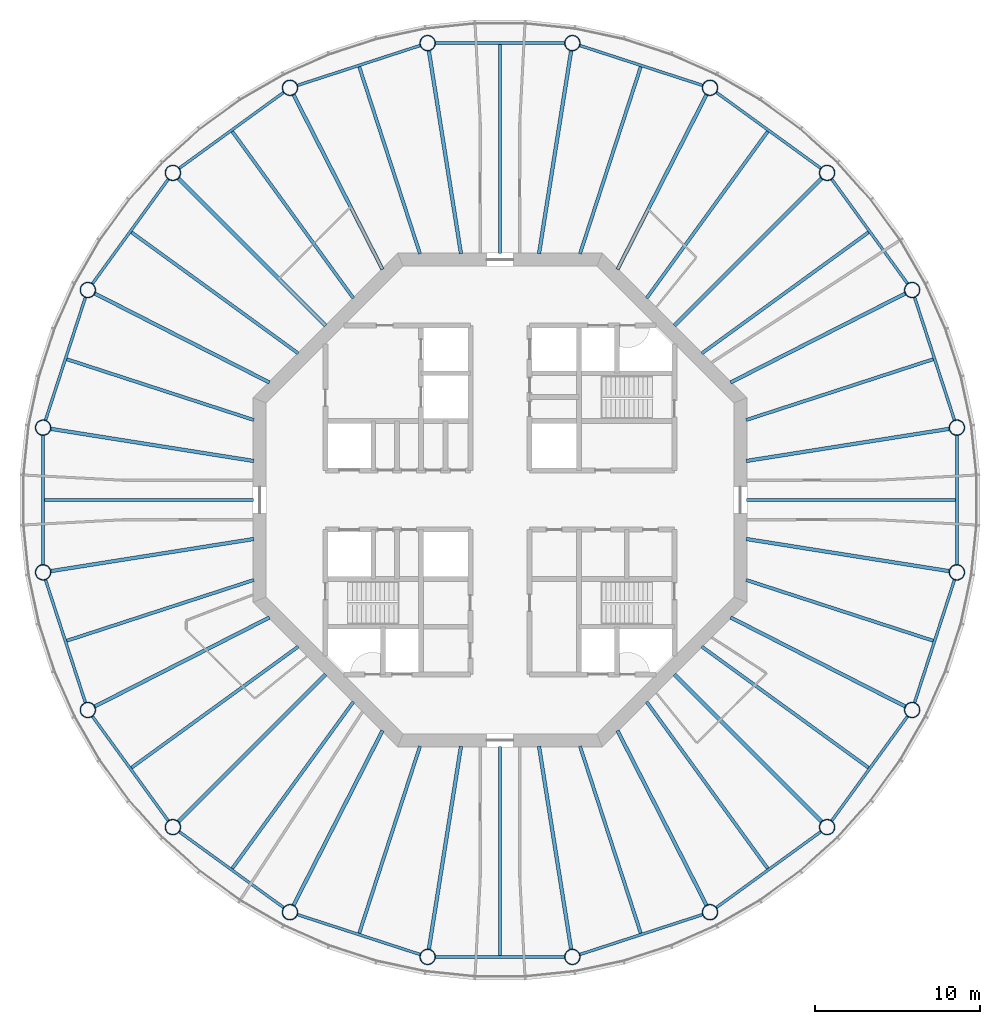
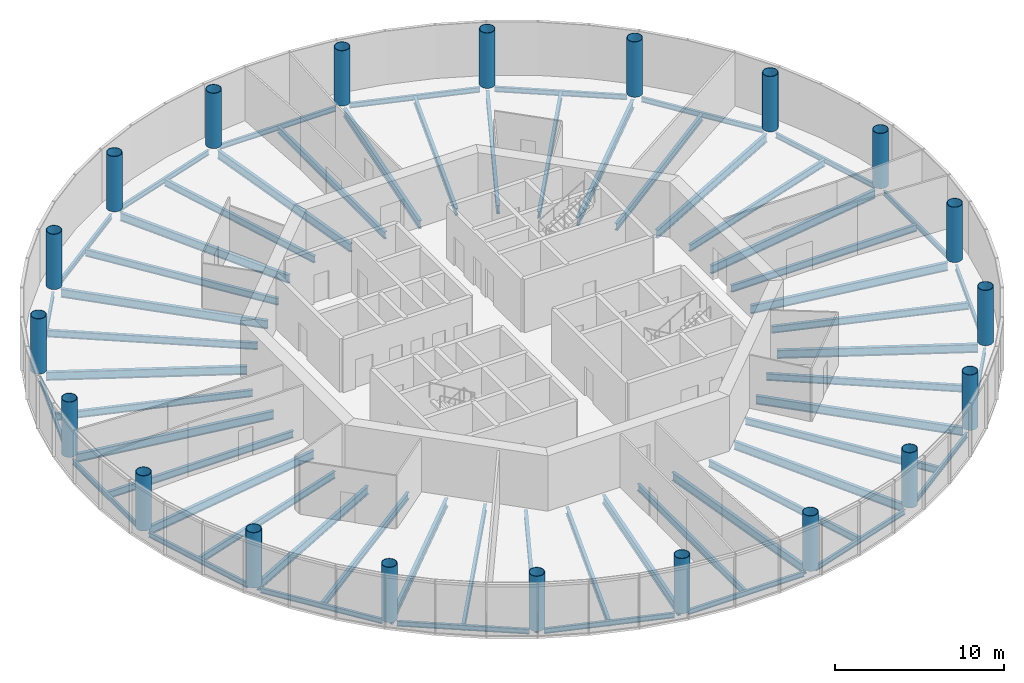
# One storey, part 1 of 13: 60 beams, 20 columns.
"""IFC4 building model written with IfcOpenShell, lengths in metres."""

from ifc_helpers import new_model, si_unit, direction, frame, origin, origin_2d, place, context, subcontext, project, spatial, circle, hollow_circle, i_section, extrude, material, material_profile, profile_set, type_object, element, save


model = new_model("IFC4")

# Units and contexts
model_context = context("Model", 3, precision=1e-05, world=origin(), true_north=direction((0.0, 1.0)))
body_context = subcontext(model_context, "Body", "Model", "MODEL_VIEW")
ifc_project = project(units=[si_unit("LENGTHUNIT", "METRE"), si_unit("AREAUNIT", "SQUARE_METRE"), si_unit("VOLUMEUNIT", "CUBIC_METRE"), si_unit("PLANEANGLEUNIT", "RADIAN"), si_unit("MASSUNIT", "GRAM", prefix="KILO")], contexts=[model_context])

# Site, building, storey
site_placement = place(None, origin())
site = spatial("IfcSite", under=ifc_project, at=site_placement, CompositionType="ELEMENT")
building_placement = place(site_placement, origin())
building = spatial("IfcBuilding", under=site, at=building_placement, Name="Entoto Ring Tower", CompositionType="ELEMENT")
storey_placement = place(building_placement, frame((0.0, 0.0, 302.0)))
storey = spatial("IfcBuildingStorey", under=building, at=storey_placement, Name="L69", CompositionType="ELEMENT", Elevation=302.0)

# Columns
ifc_material_1 = material(Name="Steel S355", Category="steel")
ifc_material_profile_1 = material_profile(ifc_material_1, hollow_circle(Radius=0.47509765625, WallThickness=0.034912109375, at=origin_2d()), Name="CHS 950 x 35")
ifc_material_2 = material(Name="Concrete C60/75", Category="concrete")
ifc_material_profile_2 = material_profile(ifc_material_2, circle(Radius=0.43994140625, at=origin_2d()), Name="Concrete C60/75 infill")
ifc_profile_set_1 = profile_set([ifc_material_profile_1, ifc_material_profile_2], Name="Steel S355")
column_type = type_object("IfcColumnType", Name="Ring column 950 x 35 concrete-filled tube", PredefinedType="COLUMN", material=ifc_profile_set_1)
for number, where, z_axis, x_axis, name in (
    (1, (117.754150390625, 84.395751953125, 0.0), (0.0, 0.0, 1.0), (1.0, 0.0, 0.0), "RC5 R01"),
    (2, (115.037353515625, 92.757080078125, 0.0), (0.0, 0.0, 1.0), (1.0, 0.0, 0.0), "RC5 R02"),
    (3, (109.86962890625, 99.86962890625, 0.0), (0.0, 0.0, 1.0), (1.0, 0.0, 0.0), "RC5 R03"),
    (4, (102.757080078125, 105.037353515625, 0.0), (0.0, 0.0, 1.0), (1.0, 0.0, 0.0), "RC5 R04"),
    (5, (94.395751953125, 107.754150390625, 0.0), (0.0, 0.0, 1.0), (1.0, 0.0, 0.0), "RC5 R05"),
    (6, (85.604248046875, 107.754150390625, 0.0), (0.0, 0.0, 1.0), (1.0, 0.0, 0.0), "RC5 R06"),
    (7, (77.242919921875, 105.037353515625, 0.0), (0.0, 0.0, 1.0), (1.0, 0.0, 0.0), "RC5 R07"),
    (8, (70.13037109375, 99.86962890625, 0.0), (0.0, 0.0, 1.0), (1.0, 0.0, 0.0), "RC5 R08"),
    (9, (64.962646484375, 92.757080078125, 0.0), (0.0, 0.0, 1.0), (1.0, 0.0, 0.0), "RC5 R09"),
    (10, (62.245849609375, 84.395751953125, 0.0), (0.0, 0.0, 1.0), (1.0, 0.0, 0.0), "RC5 R10"),
    (11, (62.245849609375, 75.604248046875, 0.0), (0.0, 0.0, 1.0), (1.0, 0.0, 0.0), "RC5 R11"),
    (12, (64.962646484375, 67.242919921875, 0.0), (0.0, 0.0, 1.0), (1.0, 0.0, 0.0), "RC5 R12"),
    (13, (70.13037109375, 60.13037109375, 0.0), (0.0, 0.0, 1.0), (1.0, 0.0, 0.0), "RC5 R13"),
    (14, (77.242919921875, 54.962646484375, 0.0), (0.0, 0.0, 1.0), (1.0, 0.0, 0.0), "RC5 R14"),
    (15, (85.604248046875, 52.245849609375, 0.0), (0.0, 0.0, 1.0), (1.0, 0.0, 0.0), "RC5 R15"),
    (16, (94.395751953125, 52.245849609375, 0.0), (0.0, 0.0, 1.0), (1.0, 0.0, 0.0), "RC5 R16"),
    (17, (102.757080078125, 54.962646484375, 0.0), (0.0, 0.0, 1.0), (1.0, 0.0, 0.0), "RC5 R17"),
    (18, (109.86962890625, 60.13037109375, 0.0), (0.0, 0.0, 1.0), (1.0, 0.0, 0.0), "RC5 R18"),
    (19, (115.037353515625, 67.242919921875, 0.0), (0.0, 0.0, 1.0), (1.0, 0.0, 0.0), "RC5 R19"),
    (20, (117.754150390625, 75.604248046875, 0.0), (0.0, 0.0, 1.0), (1.0, 0.0, 0.0), "RC5 R20"),
):
    element("IfcColumn", number, at=place(storey_placement, frame(where, z_axis=z_axis, x_axis=x_axis)), inside=storey, type_object=column_type, Name=name, PredefinedType="COLUMN", context=body_context, shape_type="SweptSolid", body=[
        extrude(hollow_circle(Radius=0.47509765625, WallThickness=0.034912109375, at=origin_2d()), origin(), (0.0, 0.0, 1.0), 4.0),
    ])

# Beams
ifc_material_3 = material(Name="Steel S355", Category="steel")
ifc_material_profile_3 = material_profile(ifc_material_3, i_section(OverallWidth=0.169921875, OverallDepth=0.360107421875, WebThickness=0.008056640625, FlangeThickness=0.0126953125, FilletRadius=0.01806640625, at=origin_2d()), Name="IPE 360")
ifc_profile_set_2 = profile_set([ifc_material_profile_3], Name="Steel S355")
beam_type_1 = type_object("IfcBeamType", Name="Edge beam IPE 360", PredefinedType="SPANDREL", material=ifc_profile_set_2)
beam_1_placement = place(storey_placement, frame((117.61572265625, 84.8212890625, -0.330078125), z_axis=(-0.309002883506, 0.951061101079, 0.0), x_axis=(-0.951061101079, -0.309002883506, 0.0)))
element("IfcBeam", 21, at=beam_1_placement, inside=storey, type_object=beam_type_1, Name="Edge beam L69 01", PredefinedType="SPANDREL", context=body_context, shape_type="SweptSolid", body=[
    extrude(i_section(OverallWidth=0.169921875, OverallDepth=0.360107421875, WebThickness=0.008056640625, FlangeThickness=0.0126953125, FilletRadius=0.01806640625, at=origin_2d()), origin(), (0.0, 0.0, 1.0), 7.89697265625),
])
for number, where, z_axis, x_axis, name in (
    (22, (114.7744140625, 93.118896484375, -0.330078125), (-0.587787449408, 0.809015398073, 0.0), (-0.809015398073, -0.587787449408, 0.0), "Edge beam L69 02"),
    (23, (109.5078125, 100.132568359375, -0.330078125), (-0.809015398073, 0.587787449408, 0.0), (-0.587787449408, -0.809015398073, 0.0), "Edge beam L69 03"),
):
    element("IfcBeam", number, at=place(storey_placement, frame(where, z_axis=z_axis, x_axis=x_axis)), inside=storey, type_object=beam_type_1, Name=name, PredefinedType="SPANDREL", context=body_context, shape_type="SweptSolid", body=[
        extrude(i_section(OverallWidth=0.169921875, OverallDepth=0.360107421875, WebThickness=0.008056640625, FlangeThickness=0.0126953125, FilletRadius=0.01806640625, at=origin_2d()), origin(), (0.0, 0.0, 1.0), 7.897216796875),
    ])
for number, where, z_axis, x_axis, name in (
    (24, (102.331787109375, 105.175537109375, -0.330078125), (-0.951061101079, 0.309002883506, 0.0), (-0.309002883506, -0.951061101079, 0.0), "Edge beam L69 04"),
    (25, (93.948486328125, 107.754150390625, -0.330078125), (-1.0, 0.0, 0.0), (0.0, -1.0, 0.0), "Edge beam L69 05"),
    (26, (85.1787109375, 107.61572265625, -0.330078125), (-0.951061101079, -0.309002883506, 0.0), (0.309002883506, -0.951061101079, 0.0), "Edge beam L69 06"),
):
    element("IfcBeam", number, at=place(storey_placement, frame(where, z_axis=z_axis, x_axis=x_axis)), inside=storey, type_object=beam_type_1, Name=name, PredefinedType="SPANDREL", context=body_context, shape_type="SweptSolid", body=[
        extrude(i_section(OverallWidth=0.169921875, OverallDepth=0.360107421875, WebThickness=0.008056640625, FlangeThickness=0.0126953125, FilletRadius=0.01806640625, at=origin_2d()), origin(), (0.0, 0.0, 1.0), 7.89697265625),
    ])
for number, where, z_axis, x_axis, name in (
    (27, (76.881103515625, 104.7744140625, -0.330078125), (-0.809015398073, -0.587787449408, 0.0), (0.587787449408, -0.809015398073, 0.0), "Edge beam L69 07"),
    (28, (69.867431640625, 99.5078125, -0.330078125), (-0.587787449408, -0.809015398073, 0.0), (0.809015398073, -0.587787449408, 0.0), "Edge beam L69 08"),
):
    element("IfcBeam", number, at=place(storey_placement, frame(where, z_axis=z_axis, x_axis=x_axis)), inside=storey, type_object=beam_type_1, Name=name, PredefinedType="SPANDREL", context=body_context, shape_type="SweptSolid", body=[
        extrude(i_section(OverallWidth=0.169921875, OverallDepth=0.360107421875, WebThickness=0.008056640625, FlangeThickness=0.0126953125, FilletRadius=0.01806640625, at=origin_2d()), origin(), (0.0, 0.0, 1.0), 7.897216796875),
    ])
for number, where, z_axis, x_axis, name in (
    (29, (64.824462890625, 92.331787109375, -0.330078125), (-0.309002883506, -0.951061101079, 0.0), (0.951061101079, -0.309002883506, 0.0), "Edge beam L69 09"),
    (30, (62.245849609375, 83.948486328125, -0.330078125), (0.0, -1.0, 0.0), (1.0, 0.0, 0.0), "Edge beam L69 10"),
    (31, (62.38427734375, 75.1787109375, -0.330078125), (0.309002883506, -0.951061101079, 0.0), (0.951061101079, 0.309002883506, 0.0), "Edge beam L69 11"),
):
    element("IfcBeam", number, at=place(storey_placement, frame(where, z_axis=z_axis, x_axis=x_axis)), inside=storey, type_object=beam_type_1, Name=name, PredefinedType="SPANDREL", context=body_context, shape_type="SweptSolid", body=[
        extrude(i_section(OverallWidth=0.169921875, OverallDepth=0.360107421875, WebThickness=0.008056640625, FlangeThickness=0.0126953125, FilletRadius=0.01806640625, at=origin_2d()), origin(), (0.0, 0.0, 1.0), 7.89697265625),
    ])
for number, where, z_axis, x_axis, name in (
    (32, (65.2255859375, 66.881103515625, -0.330078125), (0.587787449408, -0.809015398073, 0.0), (0.809015398073, 0.587787449408, 0.0), "Edge beam L69 12"),
    (33, (70.4921875, 59.867431640625, -0.330078125), (0.809015398073, -0.587787449408, 0.0), (0.587787449408, 0.809015398073, 0.0), "Edge beam L69 13"),
):
    element("IfcBeam", number, at=place(storey_placement, frame(where, z_axis=z_axis, x_axis=x_axis)), inside=storey, type_object=beam_type_1, Name=name, PredefinedType="SPANDREL", context=body_context, shape_type="SweptSolid", body=[
        extrude(i_section(OverallWidth=0.169921875, OverallDepth=0.360107421875, WebThickness=0.008056640625, FlangeThickness=0.0126953125, FilletRadius=0.01806640625, at=origin_2d()), origin(), (0.0, 0.0, 1.0), 7.897216796875),
    ])
for number, where, z_axis, x_axis, name in (
    (34, (77.668212890625, 54.824462890625, -0.330078125), (0.951061101079, -0.309002883506, 0.0), (0.309002883506, 0.951061101079, 0.0), "Edge beam L69 14"),
    (35, (86.051513671875, 52.245849609375, -0.330078125), (1.0, 0.0, 0.0), (0.0, 1.0, 0.0), "Edge beam L69 15"),
    (36, (94.8212890625, 52.38427734375, -0.330078125), (0.951061101079, 0.309002883506, 0.0), (-0.309002883506, 0.951061101079, 0.0), "Edge beam L69 16"),
):
    element("IfcBeam", number, at=place(storey_placement, frame(where, z_axis=z_axis, x_axis=x_axis)), inside=storey, type_object=beam_type_1, Name=name, PredefinedType="SPANDREL", context=body_context, shape_type="SweptSolid", body=[
        extrude(i_section(OverallWidth=0.169921875, OverallDepth=0.360107421875, WebThickness=0.008056640625, FlangeThickness=0.0126953125, FilletRadius=0.01806640625, at=origin_2d()), origin(), (0.0, 0.0, 1.0), 7.89697265625),
    ])
for number, where, z_axis, x_axis, name in (
    (37, (103.118896484375, 55.2255859375, -0.330078125), (0.809015398073, 0.587787449408, 0.0), (-0.587787449408, 0.809015398073, 0.0), "Edge beam L69 17"),
    (38, (110.132568359375, 60.4921875, -0.330078125), (0.587787449408, 0.809015398073, 0.0), (-0.809015398073, 0.587787449408, 0.0), "Edge beam L69 18"),
):
    element("IfcBeam", number, at=place(storey_placement, frame(where, z_axis=z_axis, x_axis=x_axis)), inside=storey, type_object=beam_type_1, Name=name, PredefinedType="SPANDREL", context=body_context, shape_type="SweptSolid", body=[
        extrude(i_section(OverallWidth=0.169921875, OverallDepth=0.360107421875, WebThickness=0.008056640625, FlangeThickness=0.0126953125, FilletRadius=0.01806640625, at=origin_2d()), origin(), (0.0, 0.0, 1.0), 7.897216796875),
    ])
for number, where, z_axis, x_axis, name in (
    (39, (115.175537109375, 67.668212890625, -0.330078125), (0.309002883506, 0.951061101079, 0.0), (-0.951061101079, 0.309002883506, 0.0), "Edge beam L69 19"),
    (40, (117.754150390625, 76.051513671875, -0.330078125), (0.0, 1.0, 0.0), (-1.0, 0.0, 0.0), "Edge beam L69 20"),
):
    element("IfcBeam", number, at=place(storey_placement, frame(where, z_axis=z_axis, x_axis=x_axis)), inside=storey, type_object=beam_type_1, Name=name, PredefinedType="SPANDREL", context=body_context, shape_type="SweptSolid", body=[
        extrude(i_section(OverallWidth=0.169921875, OverallDepth=0.360107421875, WebThickness=0.008056640625, FlangeThickness=0.0126953125, FilletRadius=0.01806640625, at=origin_2d()), origin(), (0.0, 0.0, 1.0), 7.89697265625),
    ])
ifc_material_4 = material(Name="Steel S355", Category="steel")
ifc_material_profile_4 = material_profile(ifc_material_4, i_section(OverallWidth=0.219970703125, OverallDepth=0.60009765625, WebThickness=0.011962890625, FlangeThickness=0.01904296875, FilletRadius=0.02392578125, at=origin_2d()), Name="IPE 600")
ifc_profile_set_3 = profile_set([ifc_material_profile_4], Name="Steel S355")
beam_type_2 = type_object("IfcBeamType", Name="Primary floor beam IPE 600", PredefinedType="BEAM", material=ifc_profile_set_3)
beam_2_placement = place(storey_placement, frame((104.963134765625, 82.369873046875, -0.449951171875), z_axis=(0.987687519796, 0.156439647277, 0.0), x_axis=(-0.156439647277, 0.987687519796, 0.0)))
element("IfcBeam", 41, at=beam_2_placement, inside=storey, type_object=beam_type_2, Name="Primary L69 R01", PredefinedType="BEAM", context=body_context, shape_type="SweptSolid", body=[
    extrude(i_section(OverallWidth=0.219970703125, OverallDepth=0.60009765625, WebThickness=0.011962890625, FlangeThickness=0.01904296875, FilletRadius=0.02392578125, at=origin_2d()), origin(), (0.0, 0.0, 1.0), 12.50830078125),
])
beam_3_placement = place(storey_placement, frame((104.003173828125, 87.135009765625, -0.449951171875), z_axis=(0.891007666593, 0.453988257638, 0.0), x_axis=(-0.453988257638, 0.891007666593, 0.0)))
element("IfcBeam", 42, at=beam_3_placement, inside=storey, type_object=beam_type_2, Name="Primary L69 R02", PredefinedType="BEAM", context=body_context, shape_type="SweptSolid", body=[
    extrude(i_section(OverallWidth=0.219970703125, OverallDepth=0.60009765625, WebThickness=0.011962890625, FlangeThickness=0.01904296875, FilletRadius=0.02392578125, at=origin_2d()), origin(), (0.0, 0.0, 1.0), 11.941650390625),
])
beam_4_placement = place(storey_placement, frame((100.592529296875, 90.592529296875, -0.449951171875), z_axis=(0.707106781187, 0.707106781187, 0.0), x_axis=(-0.707106781187, 0.707106781187, 0.0)))
element("IfcBeam", 43, at=beam_4_placement, inside=storey, type_object=beam_type_2, Name="Primary L69 R03", PredefinedType="BEAM", context=body_context, shape_type="SweptSolid", body=[
    extrude(i_section(OverallWidth=0.219970703125, OverallDepth=0.60009765625, WebThickness=0.011962890625, FlangeThickness=0.01904296875, FilletRadius=0.02392578125, at=origin_2d()), origin(), (0.0, 0.0, 1.0), 12.677978515625),
])
beam_5_placement = place(storey_placement, frame((97.135009765625, 94.003173828125, -0.449951171875), z_axis=(0.453988257638, 0.891007666593, 0.0), x_axis=(-0.891007666593, 0.453988257638, 0.0)))
element("IfcBeam", 44, at=beam_5_placement, inside=storey, type_object=beam_type_2, Name="Primary L69 R04", PredefinedType="BEAM", context=body_context, shape_type="SweptSolid", body=[
    extrude(i_section(OverallWidth=0.219970703125, OverallDepth=0.60009765625, WebThickness=0.011962890625, FlangeThickness=0.01904296875, FilletRadius=0.02392578125, at=origin_2d()), origin(), (0.0, 0.0, 1.0), 11.941650390625),
])
for number, where, z_axis, x_axis, name in (
    (45, (92.369873046875, 94.963134765625, -0.449951171875), (0.156439647277, 0.987687519796, 0.0), (-0.987687519796, 0.156439647277, 0.0), "Primary L69 R05"),
    (46, (87.630126953125, 94.963134765625, -0.449951171875), (-0.156439647277, 0.987687519796, 0.0), (-0.987687519796, -0.156439647277, 0.0), "Primary L69 R06"),
):
    element("IfcBeam", number, at=place(storey_placement, frame(where, z_axis=z_axis, x_axis=x_axis)), inside=storey, type_object=beam_type_2, Name=name, PredefinedType="BEAM", context=body_context, shape_type="SweptSolid", body=[
        extrude(i_section(OverallWidth=0.219970703125, OverallDepth=0.60009765625, WebThickness=0.011962890625, FlangeThickness=0.01904296875, FilletRadius=0.02392578125, at=origin_2d()), origin(), (0.0, 0.0, 1.0), 12.50830078125),
    ])
beam_6_placement = place(storey_placement, frame((82.864990234375, 94.003173828125, -0.449951171875), z_axis=(-0.453988257638, 0.891007666593, 0.0), x_axis=(-0.891007666593, -0.453988257638, 0.0)))
element("IfcBeam", 47, at=beam_6_placement, inside=storey, type_object=beam_type_2, Name="Primary L69 R07", PredefinedType="BEAM", context=body_context, shape_type="SweptSolid", body=[
    extrude(i_section(OverallWidth=0.219970703125, OverallDepth=0.60009765625, WebThickness=0.011962890625, FlangeThickness=0.01904296875, FilletRadius=0.02392578125, at=origin_2d()), origin(), (0.0, 0.0, 1.0), 11.941650390625),
])
beam_7_placement = place(storey_placement, frame((79.407470703125, 90.592529296875, -0.449951171875), z_axis=(-0.707106781187, 0.707106781187, 0.0), x_axis=(-0.707106781187, -0.707106781187, 0.0)))
element("IfcBeam", 48, at=beam_7_placement, inside=storey, type_object=beam_type_2, Name="Primary L69 R08", PredefinedType="BEAM", context=body_context, shape_type="SweptSolid", body=[
    extrude(i_section(OverallWidth=0.219970703125, OverallDepth=0.60009765625, WebThickness=0.011962890625, FlangeThickness=0.01904296875, FilletRadius=0.02392578125, at=origin_2d()), origin(), (0.0, 0.0, 1.0), 12.677978515625),
])
beam_8_placement = place(storey_placement, frame((75.996826171875, 87.135009765625, -0.449951171875), z_axis=(-0.891007666593, 0.453988257638, 0.0), x_axis=(-0.453988257638, -0.891007666593, 0.0)))
element("IfcBeam", 49, at=beam_8_placement, inside=storey, type_object=beam_type_2, Name="Primary L69 R09", PredefinedType="BEAM", context=body_context, shape_type="SweptSolid", body=[
    extrude(i_section(OverallWidth=0.219970703125, OverallDepth=0.60009765625, WebThickness=0.011962890625, FlangeThickness=0.01904296875, FilletRadius=0.02392578125, at=origin_2d()), origin(), (0.0, 0.0, 1.0), 11.941650390625),
])
for number, where, z_axis, x_axis, name in (
    (50, (75.036865234375, 82.369873046875, -0.449951171875), (-0.987687519796, 0.156439647277, 0.0), (-0.156439647277, -0.987687519796, 0.0), "Primary L69 R10"),
    (51, (75.036865234375, 77.630126953125, -0.449951171875), (-0.987687519796, -0.156439647277, 0.0), (0.156439647277, -0.987687519796, 0.0), "Primary L69 R11"),
):
    element("IfcBeam", number, at=place(storey_placement, frame(where, z_axis=z_axis, x_axis=x_axis)), inside=storey, type_object=beam_type_2, Name=name, PredefinedType="BEAM", context=body_context, shape_type="SweptSolid", body=[
        extrude(i_section(OverallWidth=0.219970703125, OverallDepth=0.60009765625, WebThickness=0.011962890625, FlangeThickness=0.01904296875, FilletRadius=0.02392578125, at=origin_2d()), origin(), (0.0, 0.0, 1.0), 12.50830078125),
    ])
beam_9_placement = place(storey_placement, frame((75.996826171875, 72.864990234375, -0.449951171875), z_axis=(-0.891007666593, -0.453988257638, 0.0), x_axis=(0.453988257638, -0.891007666593, 0.0)))
element("IfcBeam", 52, at=beam_9_placement, inside=storey, type_object=beam_type_2, Name="Primary L69 R12", PredefinedType="BEAM", context=body_context, shape_type="SweptSolid", body=[
    extrude(i_section(OverallWidth=0.219970703125, OverallDepth=0.60009765625, WebThickness=0.011962890625, FlangeThickness=0.01904296875, FilletRadius=0.02392578125, at=origin_2d()), origin(), (0.0, 0.0, 1.0), 11.941650390625),
])
beam_10_placement = place(storey_placement, frame((79.407470703125, 69.407470703125, -0.449951171875), z_axis=(-0.707106781187, -0.707106781187, 0.0), x_axis=(0.707106781187, -0.707106781187, 0.0)))
element("IfcBeam", 53, at=beam_10_placement, inside=storey, type_object=beam_type_2, Name="Primary L69 R13", PredefinedType="BEAM", context=body_context, shape_type="SweptSolid", body=[
    extrude(i_section(OverallWidth=0.219970703125, OverallDepth=0.60009765625, WebThickness=0.011962890625, FlangeThickness=0.01904296875, FilletRadius=0.02392578125, at=origin_2d()), origin(), (0.0, 0.0, 1.0), 12.677978515625),
])
beam_11_placement = place(storey_placement, frame((82.864990234375, 65.996826171875, -0.449951171875), z_axis=(-0.453988257638, -0.891007666593, 0.0), x_axis=(0.891007666593, -0.453988257638, 0.0)))
element("IfcBeam", 54, at=beam_11_placement, inside=storey, type_object=beam_type_2, Name="Primary L69 R14", PredefinedType="BEAM", context=body_context, shape_type="SweptSolid", body=[
    extrude(i_section(OverallWidth=0.219970703125, OverallDepth=0.60009765625, WebThickness=0.011962890625, FlangeThickness=0.01904296875, FilletRadius=0.02392578125, at=origin_2d()), origin(), (0.0, 0.0, 1.0), 11.941650390625),
])
for number, where, z_axis, x_axis, name in (
    (55, (87.630126953125, 65.036865234375, -0.449951171875), (-0.156439647277, -0.987687519796, 0.0), (0.987687519796, -0.156439647277, 0.0), "Primary L69 R15"),
    (56, (92.369873046875, 65.036865234375, -0.449951171875), (0.156439647277, -0.987687519796, 0.0), (0.987687519796, 0.156439647277, 0.0), "Primary L69 R16"),
):
    element("IfcBeam", number, at=place(storey_placement, frame(where, z_axis=z_axis, x_axis=x_axis)), inside=storey, type_object=beam_type_2, Name=name, PredefinedType="BEAM", context=body_context, shape_type="SweptSolid", body=[
        extrude(i_section(OverallWidth=0.219970703125, OverallDepth=0.60009765625, WebThickness=0.011962890625, FlangeThickness=0.01904296875, FilletRadius=0.02392578125, at=origin_2d()), origin(), (0.0, 0.0, 1.0), 12.50830078125),
    ])
beam_12_placement = place(storey_placement, frame((97.135009765625, 65.996826171875, -0.449951171875), z_axis=(0.453988257638, -0.891007666593, 0.0), x_axis=(0.891007666593, 0.453988257638, 0.0)))
element("IfcBeam", 57, at=beam_12_placement, inside=storey, type_object=beam_type_2, Name="Primary L69 R17", PredefinedType="BEAM", context=body_context, shape_type="SweptSolid", body=[
    extrude(i_section(OverallWidth=0.219970703125, OverallDepth=0.60009765625, WebThickness=0.011962890625, FlangeThickness=0.01904296875, FilletRadius=0.02392578125, at=origin_2d()), origin(), (0.0, 0.0, 1.0), 11.941650390625),
])
beam_13_placement = place(storey_placement, frame((100.592529296875, 69.407470703125, -0.449951171875), z_axis=(0.707106781187, -0.707106781187, 0.0), x_axis=(0.707106781187, 0.707106781187, 0.0)))
element("IfcBeam", 58, at=beam_13_placement, inside=storey, type_object=beam_type_2, Name="Primary L69 R18", PredefinedType="BEAM", context=body_context, shape_type="SweptSolid", body=[
    extrude(i_section(OverallWidth=0.219970703125, OverallDepth=0.60009765625, WebThickness=0.011962890625, FlangeThickness=0.01904296875, FilletRadius=0.02392578125, at=origin_2d()), origin(), (0.0, 0.0, 1.0), 12.677978515625),
])
beam_14_placement = place(storey_placement, frame((104.003173828125, 72.864990234375, -0.449951171875), z_axis=(0.891007666593, -0.453988257638, 0.0), x_axis=(0.453988257638, 0.891007666593, 0.0)))
element("IfcBeam", 59, at=beam_14_placement, inside=storey, type_object=beam_type_2, Name="Primary L69 R19", PredefinedType="BEAM", context=body_context, shape_type="SweptSolid", body=[
    extrude(i_section(OverallWidth=0.219970703125, OverallDepth=0.60009765625, WebThickness=0.011962890625, FlangeThickness=0.01904296875, FilletRadius=0.02392578125, at=origin_2d()), origin(), (0.0, 0.0, 1.0), 11.941650390625),
])
beam_15_placement = place(storey_placement, frame((104.963134765625, 77.630126953125, -0.449951171875), z_axis=(0.987687519796, -0.156439647277, 0.0), x_axis=(0.156439647277, 0.987687519796, 0.0)))
element("IfcBeam", 60, at=beam_15_placement, inside=storey, type_object=beam_type_2, Name="Primary L69 R20", PredefinedType="BEAM", context=body_context, shape_type="SweptSolid", body=[
    extrude(i_section(OverallWidth=0.219970703125, OverallDepth=0.60009765625, WebThickness=0.011962890625, FlangeThickness=0.01904296875, FilletRadius=0.02392578125, at=origin_2d()), origin(), (0.0, 0.0, 1.0), 12.50830078125),
])
ifc_material_5 = material(Name="Steel S355", Category="steel")
ifc_material_profile_5 = material_profile(ifc_material_5, i_section(OverallWidth=0.199951171875, OverallDepth=0.5, WebThickness=0.01025390625, FlangeThickness=0.01611328125, FilletRadius=0.02099609375, at=origin_2d()), Name="IPE 500")
ifc_profile_set_4 = profile_set([ifc_material_profile_5], Name="Steel S355")
beam_type_3 = type_object("IfcBeamType", Name="Secondary floor beam IPE 500", PredefinedType="JOIST", material=ifc_profile_set_4)
beam_16_placement = place(storey_placement, frame((104.9501953125, 84.857666015625, -0.39990234375), z_axis=(0.951056587506, 0.30901677521, 0.0), x_axis=(-0.30901677521, 0.951056587506, 0.0)))
element("IfcBeam", 61, at=beam_16_placement, inside=storey, type_object=beam_type_3, Name="Secondary beam L69 01", PredefinedType="JOIST", context=body_context, shape_type="SweptSolid", body=[
    extrude(i_section(OverallWidth=0.199951171875, OverallDepth=0.5, WebThickness=0.01025390625, FlangeThickness=0.01611328125, FilletRadius=0.02099609375, at=origin_2d()), origin(), (0.0, 0.0, 1.0), 11.94970703125),
])
for number, where, z_axis, x_axis, name in (
    (62, (102.257568359375, 88.905517578125, -0.39990234375), (0.80901431041, 0.587788946436, 0.0), (-0.587788946436, 0.80901431041, 0.0), "Secondary beam L69 02"),
    (63, (98.905517578125, 92.257568359375, -0.39990234375), (0.587788946436, 0.80901431041, 0.0), (-0.80901431041, 0.587788946436, 0.0), "Secondary beam L69 03"),
):
    element("IfcBeam", number, at=place(storey_placement, frame(where, z_axis=z_axis, x_axis=x_axis)), inside=storey, type_object=beam_type_3, Name=name, PredefinedType="JOIST", context=body_context, shape_type="SweptSolid", body=[
        extrude(i_section(OverallWidth=0.199951171875, OverallDepth=0.5, WebThickness=0.01025390625, FlangeThickness=0.01611328125, FilletRadius=0.02099609375, at=origin_2d()), origin(), (0.0, 0.0, 1.0), 12.51806640625),
    ])
beam_17_placement = place(storey_placement, frame((94.857666015625, 94.9501953125, -0.39990234375), z_axis=(0.30901677521, 0.951056587506, 0.0), x_axis=(-0.951056587506, 0.30901677521, 0.0)))
element("IfcBeam", 64, at=beam_17_placement, inside=storey, type_object=beam_type_3, Name="Secondary beam L69 04", PredefinedType="JOIST", context=body_context, shape_type="SweptSolid", body=[
    extrude(i_section(OverallWidth=0.199951171875, OverallDepth=0.5, WebThickness=0.01025390625, FlangeThickness=0.01611328125, FilletRadius=0.02099609375, at=origin_2d()), origin(), (0.0, 0.0, 1.0), 11.94970703125),
])
beam_18_placement = place(storey_placement, frame((90.0, 94.97998046875, -0.39990234375), z_axis=(0.0, 1.0, 0.0), x_axis=(-1.0, 0.0, 0.0)))
element("IfcBeam", 65, at=beam_18_placement, inside=storey, type_object=beam_type_3, Name="Secondary beam L69 05", PredefinedType="JOIST", context=body_context, shape_type="SweptSolid", body=[
    extrude(i_section(OverallWidth=0.199951171875, OverallDepth=0.5, WebThickness=0.01025390625, FlangeThickness=0.01611328125, FilletRadius=0.02099609375, at=origin_2d()), origin(), (0.0, 0.0, 1.0), 12.68896484375),
])
beam_19_placement = place(storey_placement, frame((85.142333984375, 94.9501953125, -0.39990234375), z_axis=(-0.30901677521, 0.951056587506, 0.0), x_axis=(-0.951056587506, -0.30901677521, 0.0)))
element("IfcBeam", 66, at=beam_19_placement, inside=storey, type_object=beam_type_3, Name="Secondary beam L69 06", PredefinedType="JOIST", context=body_context, shape_type="SweptSolid", body=[
    extrude(i_section(OverallWidth=0.199951171875, OverallDepth=0.5, WebThickness=0.01025390625, FlangeThickness=0.01611328125, FilletRadius=0.02099609375, at=origin_2d()), origin(), (0.0, 0.0, 1.0), 11.94970703125),
])
for number, where, z_axis, x_axis, name in (
    (67, (81.094482421875, 92.257568359375, -0.39990234375), (-0.587788946436, 0.80901431041, 0.0), (-0.80901431041, -0.587788946436, 0.0), "Secondary beam L69 07"),
    (68, (77.742431640625, 88.905517578125, -0.39990234375), (-0.80901431041, 0.587788946436, 0.0), (-0.587788946436, -0.80901431041, 0.0), "Secondary beam L69 08"),
):
    element("IfcBeam", number, at=place(storey_placement, frame(where, z_axis=z_axis, x_axis=x_axis)), inside=storey, type_object=beam_type_3, Name=name, PredefinedType="JOIST", context=body_context, shape_type="SweptSolid", body=[
        extrude(i_section(OverallWidth=0.199951171875, OverallDepth=0.5, WebThickness=0.01025390625, FlangeThickness=0.01611328125, FilletRadius=0.02099609375, at=origin_2d()), origin(), (0.0, 0.0, 1.0), 12.51806640625),
    ])
beam_20_placement = place(storey_placement, frame((75.0498046875, 84.857666015625, -0.39990234375), z_axis=(-0.951056587506, 0.30901677521, 0.0), x_axis=(-0.30901677521, -0.951056587506, 0.0)))
element("IfcBeam", 69, at=beam_20_placement, inside=storey, type_object=beam_type_3, Name="Secondary beam L69 09", PredefinedType="JOIST", context=body_context, shape_type="SweptSolid", body=[
    extrude(i_section(OverallWidth=0.199951171875, OverallDepth=0.5, WebThickness=0.01025390625, FlangeThickness=0.01611328125, FilletRadius=0.02099609375, at=origin_2d()), origin(), (0.0, 0.0, 1.0), 11.94970703125),
])
beam_21_placement = place(storey_placement, frame((75.02001953125, 80.0, -0.39990234375), z_axis=(-1.0, 0.0, 0.0), x_axis=(0.0, -1.0, 0.0)))
element("IfcBeam", 70, at=beam_21_placement, inside=storey, type_object=beam_type_3, Name="Secondary beam L69 10", PredefinedType="JOIST", context=body_context, shape_type="SweptSolid", body=[
    extrude(i_section(OverallWidth=0.199951171875, OverallDepth=0.5, WebThickness=0.01025390625, FlangeThickness=0.01611328125, FilletRadius=0.02099609375, at=origin_2d()), origin(), (0.0, 0.0, 1.0), 12.68896484375),
])
beam_22_placement = place(storey_placement, frame((75.0498046875, 75.142333984375, -0.39990234375), z_axis=(-0.951056587506, -0.30901677521, 0.0), x_axis=(0.30901677521, -0.951056587506, 0.0)))
element("IfcBeam", 71, at=beam_22_placement, inside=storey, type_object=beam_type_3, Name="Secondary beam L69 11", PredefinedType="JOIST", context=body_context, shape_type="SweptSolid", body=[
    extrude(i_section(OverallWidth=0.199951171875, OverallDepth=0.5, WebThickness=0.01025390625, FlangeThickness=0.01611328125, FilletRadius=0.02099609375, at=origin_2d()), origin(), (0.0, 0.0, 1.0), 11.94970703125),
])
for number, where, z_axis, x_axis, name in (
    (72, (77.742431640625, 71.094482421875, -0.39990234375), (-0.80901431041, -0.587788946436, 0.0), (0.587788946436, -0.80901431041, 0.0), "Secondary beam L69 12"),
    (73, (81.094482421875, 67.742431640625, -0.39990234375), (-0.587788946436, -0.80901431041, 0.0), (0.80901431041, -0.587788946436, 0.0), "Secondary beam L69 13"),
):
    element("IfcBeam", number, at=place(storey_placement, frame(where, z_axis=z_axis, x_axis=x_axis)), inside=storey, type_object=beam_type_3, Name=name, PredefinedType="JOIST", context=body_context, shape_type="SweptSolid", body=[
        extrude(i_section(OverallWidth=0.199951171875, OverallDepth=0.5, WebThickness=0.01025390625, FlangeThickness=0.01611328125, FilletRadius=0.02099609375, at=origin_2d()), origin(), (0.0, 0.0, 1.0), 12.51806640625),
    ])
beam_23_placement = place(storey_placement, frame((85.142333984375, 65.0498046875, -0.39990234375), z_axis=(-0.30901677521, -0.951056587506, 0.0), x_axis=(0.951056587506, -0.30901677521, 0.0)))
element("IfcBeam", 74, at=beam_23_placement, inside=storey, type_object=beam_type_3, Name="Secondary beam L69 14", PredefinedType="JOIST", context=body_context, shape_type="SweptSolid", body=[
    extrude(i_section(OverallWidth=0.199951171875, OverallDepth=0.5, WebThickness=0.01025390625, FlangeThickness=0.01611328125, FilletRadius=0.02099609375, at=origin_2d()), origin(), (0.0, 0.0, 1.0), 11.94970703125),
])
beam_24_placement = place(storey_placement, frame((90.0, 65.02001953125, -0.39990234375), z_axis=(0.0, -1.0, 0.0), x_axis=(1.0, 0.0, 0.0)))
element("IfcBeam", 75, at=beam_24_placement, inside=storey, type_object=beam_type_3, Name="Secondary beam L69 15", PredefinedType="JOIST", context=body_context, shape_type="SweptSolid", body=[
    extrude(i_section(OverallWidth=0.199951171875, OverallDepth=0.5, WebThickness=0.01025390625, FlangeThickness=0.01611328125, FilletRadius=0.02099609375, at=origin_2d()), origin(), (0.0, 0.0, 1.0), 12.68896484375),
])
beam_25_placement = place(storey_placement, frame((94.857666015625, 65.0498046875, -0.39990234375), z_axis=(0.30901677521, -0.951056587506, 0.0), x_axis=(0.951056587506, 0.30901677521, 0.0)))
element("IfcBeam", 76, at=beam_25_placement, inside=storey, type_object=beam_type_3, Name="Secondary beam L69 16", PredefinedType="JOIST", context=body_context, shape_type="SweptSolid", body=[
    extrude(i_section(OverallWidth=0.199951171875, OverallDepth=0.5, WebThickness=0.01025390625, FlangeThickness=0.01611328125, FilletRadius=0.02099609375, at=origin_2d()), origin(), (0.0, 0.0, 1.0), 11.94970703125),
])
for number, where, z_axis, x_axis, name in (
    (77, (98.905517578125, 67.742431640625, -0.39990234375), (0.587788946436, -0.80901431041, 0.0), (0.80901431041, 0.587788946436, 0.0), "Secondary beam L69 17"),
    (78, (102.257568359375, 71.094482421875, -0.39990234375), (0.80901431041, -0.587788946436, 0.0), (0.587788946436, 0.80901431041, 0.0), "Secondary beam L69 18"),
):
    element("IfcBeam", number, at=place(storey_placement, frame(where, z_axis=z_axis, x_axis=x_axis)), inside=storey, type_object=beam_type_3, Name=name, PredefinedType="JOIST", context=body_context, shape_type="SweptSolid", body=[
        extrude(i_section(OverallWidth=0.199951171875, OverallDepth=0.5, WebThickness=0.01025390625, FlangeThickness=0.01611328125, FilletRadius=0.02099609375, at=origin_2d()), origin(), (0.0, 0.0, 1.0), 12.51806640625),
    ])
beam_26_placement = place(storey_placement, frame((104.9501953125, 75.142333984375, -0.39990234375), z_axis=(0.951056587506, -0.30901677521, 0.0), x_axis=(0.30901677521, 0.951056587506, 0.0)))
element("IfcBeam", 79, at=beam_26_placement, inside=storey, type_object=beam_type_3, Name="Secondary beam L69 19", PredefinedType="JOIST", context=body_context, shape_type="SweptSolid", body=[
    extrude(i_section(OverallWidth=0.199951171875, OverallDepth=0.5, WebThickness=0.01025390625, FlangeThickness=0.01611328125, FilletRadius=0.02099609375, at=origin_2d()), origin(), (0.0, 0.0, 1.0), 11.94970703125),
])
beam_27_placement = place(storey_placement, frame((104.97998046875, 80.0, -0.39990234375), z_axis=(1.0, 0.0, 0.0), x_axis=(0.0, 1.0, 0.0)))
element("IfcBeam", 80, at=beam_27_placement, inside=storey, type_object=beam_type_3, Name="Secondary beam L69 20", PredefinedType="JOIST", context=body_context, shape_type="SweptSolid", body=[
    extrude(i_section(OverallWidth=0.199951171875, OverallDepth=0.5, WebThickness=0.01025390625, FlangeThickness=0.01611328125, FilletRadius=0.02099609375, at=origin_2d()), origin(), (0.0, 0.0, 1.0), 12.68896484375),
])

save(model, "model.ifc")
